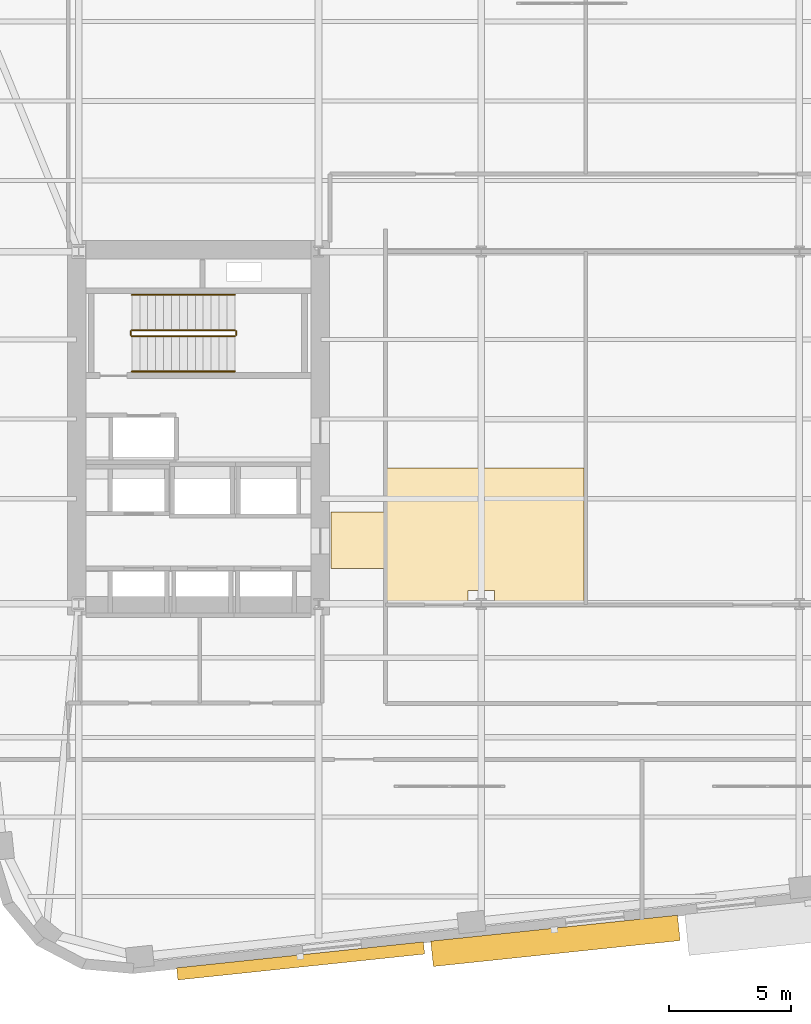
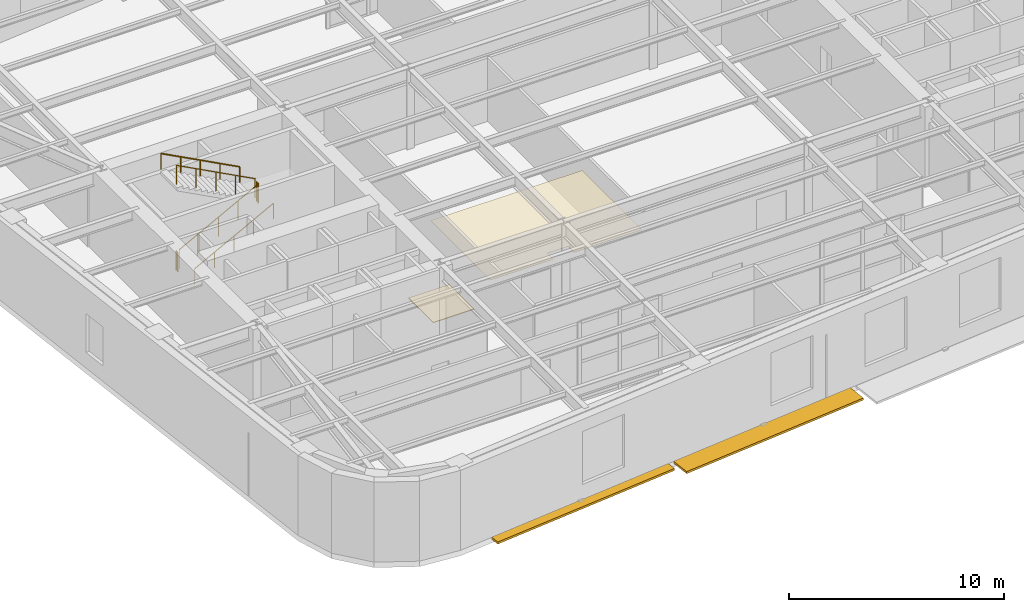
# One storey, part 11 of 14: 6 railings, 2 coverings, 2 shading devices.
"""IFC4 building model written with IfcOpenShell, lengths in metres."""

from ifc_helpers import new_model, si_unit, direction, frame, origin, origin_2d, place, context, subcontext, project, spatial, polyline, rectangle, circle, outline, extrude, material, layer, layer_set, type_object, element, save


model = new_model("IFC4")

# Units and contexts
model_context = context("Model", 3, precision=1e-05, world=origin(), true_north=direction((0.0, 1.0)))
body_context = subcontext(model_context, "Body", "Model", "MODEL_VIEW")
ifc_project = project(units=[si_unit("LENGTHUNIT", "METRE"), si_unit("AREAUNIT", "SQUARE_METRE"), si_unit("VOLUMEUNIT", "CUBIC_METRE"), si_unit("PLANEANGLEUNIT", "RADIAN"), si_unit("MASSUNIT", "GRAM", prefix="KILO")], contexts=[model_context])

# Site, building, storey
site_placement = place(None, origin())
site = spatial("IfcSite", under=ifc_project, at=site_placement, CompositionType="ELEMENT")
building_placement = place(site_placement, origin())
building = spatial("IfcBuilding", under=site, at=building_placement, Name="Kolvaren Arena Tower", CompositionType="ELEMENT")
storey_placement = place(building_placement, frame((0.0, 0.0, 125.949951171875)))
storey = spatial("IfcBuildingStorey", under=building, at=storey_placement, Name="L29", CompositionType="ELEMENT", Elevation=125.949951171875)

# Coverings
ifc_material_1 = material(Name="Mineral fibre acoustic ceiling tile", Category="gypsum")
ifc_layer_1 = layer(ifc_material_1, 0.02490234375)
ifc_layer_set_1 = layer_set([ifc_layer_1], Name="Mineral fibre acoustic ceiling tile")
covering_type_1 = type_object("IfcCoveringType", Name="CEIL-ACT-1", PredefinedType="CEILING", material=ifc_layer_set_1)
covering_1_placement = place(storey_placement, frame((0.0, 0.0, 2.52001953125)))
element("IfcCovering", 1, at=covering_1_placement, inside=storey, type_object=covering_type_1, Name="Suspended Ceiling (L29)", PredefinedType="CEILING", context=body_context, shape_type="SweptSolid", body=[
    extrude(outline(polyline([(27.080078125, 19.449951171875), (27.080078125, 25.0), (35.199951171875, 25.0), (35.199951171875, 19.449951171875), (31.550048828125, 19.449951171875), (31.550048828125, 20.0), (30.449951171875, 20.0), (30.449951171875, 19.449951171875), (27.080078125, 19.449951171875)])), origin(), (0.0, 0.0, 1.0), 0.025146484375),
])
ifc_material_2 = material(Name="Polished granite terrazzo flooring", Category="masonry")
ifc_layer_2 = layer(ifc_material_2, 0.034912109375)
ifc_layer_set_2 = layer_set([ifc_layer_2], Name="Polished granite terrazzo flooring")
covering_type_2 = type_object("IfcCoveringType", Name="FLOR-TRZ-1", PredefinedType="FLOORING", material=ifc_layer_set_2)
covering_2_placement = place(storey_placement, origin())
element("IfcCovering", 2, at=covering_2_placement, inside=storey, type_object=covering_type_2, Name="Floor Finish (L29)", PredefinedType="FLOORING", context=body_context, shape_type="SweptSolid", body=[
    extrude(outline(polyline([(24.85009765625, 20.89990234375), (24.85009765625, 23.199951171875), (27.050048828125, 23.199951171875), (27.050048828125, 20.89990234375), (24.85009765625, 20.89990234375)])), origin(), (0.0, 0.0, 1.0), 0.03515625),
])

# Railings
ifc_material_3 = material(Name="Painted galvanized steel", Category="steel")
railing_type_1 = type_object("IfcRailingType", Name="GUARD-ST-110", PredefinedType="GUARDRAIL", material=ifc_material_3)
railing_1_placement = place(storey_placement, frame((16.719970703125, 30.389892578125, 0.17138671875)))
element("IfcRailing", 3, at=railing_1_placement, inside=storey, type_object=railing_type_1, Name="L29 ST-W1 stair guard 1", PredefinedType="GUARDRAIL", context=body_context, shape_type="SweptSolid", body=[
    extrude(circle(Radius=0.02392578125, at=origin_2d()), frame((0.0, 0.0, 1.076171875), z_axis=(0.883881365342, 0.0, 0.467711163007), x_axis=(0.0, 1.0, 0.0)), (0.0, 0.0, 1.0), 4.76513671875),
    extrude(circle(Radius=0.02099609375, at=origin_2d()), origin(), (0.0, 0.0, 1.0), 1.052001953125),
    extrude(circle(Radius=0.02099609375, at=origin_2d()), frame((1.052978515625, 0.0, 0.55712890625)), (0.0, 0.0, 1.0), 1.052001953125),
    extrude(circle(Radius=0.02099609375, at=origin_2d()), frame((2.10595703125, 0.0, 1.1142578125)), (0.0, 0.0, 1.0), 1.052001953125),
    extrude(circle(Radius=0.02099609375, at=origin_2d()), frame((3.158935546875, 0.0, 1.671630859375)), (0.0, 0.0, 1.0), 1.052001953125),
    extrude(circle(Radius=0.02099609375, at=origin_2d()), frame((4.2119140625, 0.0, 2.228759765625)), (0.0, 0.0, 1.0), 1.052001953125),
])
railing_2_placement = place(storey_placement, frame((20.98193359375, 30.43994140625, 2.400146484375)))
element("IfcRailing", 4, at=railing_2_placement, inside=storey, type_object=railing_type_1, Name="L29 ST-W1 stair guard 2", PredefinedType="GUARDRAIL", context=body_context, shape_type="SweptSolid", body=[
    extrude(circle(Radius=0.02392578125, at=origin_2d()), frame((0.0, 0.0, 1.076171875), z_axis=(0.0, 1.0, 0.0), x_axis=(-1.0, 0.0, 0.0)), (0.0, 0.0, 1.0), 0.150146484375),
    extrude(circle(Radius=0.02099609375, at=origin_2d()), origin(), (0.0, 0.0, 1.0), 1.052001953125),
    extrude(circle(Radius=0.02099609375, at=origin_2d()), frame((0.0, 0.150146484375, 0.0)), (0.0, 0.0, 1.0), 1.052001953125),
])
railing_3_placement = place(storey_placement, frame((20.931884765625, 30.639892578125, 2.571533203125)))
element("IfcRailing", 5, at=railing_3_placement, inside=storey, type_object=railing_type_1, Name="L29 ST-W1 stair guard 3", PredefinedType="GUARDRAIL", context=body_context, shape_type="SweptSolid", body=[
    extrude(circle(Radius=0.02392578125, at=origin_2d()), frame((0.0, 0.0, 1.076171875), z_axis=(-0.883902544957, 0.0, 0.467671135542), x_axis=(0.0, -1.0, 0.0)), (0.0, 0.0, 1.0), 4.76513671875),
    extrude(circle(Radius=0.02099609375, at=origin_2d()), origin(), (0.0, 0.0, 1.0), 1.052001953125),
    extrude(circle(Radius=0.02099609375, at=origin_2d()), frame((-1.052978515625, 0.0, 0.55712890625)), (0.0, 0.0, 1.0), 1.052001953125),
    extrude(circle(Radius=0.02099609375, at=origin_2d()), frame((-2.10595703125, 0.0, 1.1142578125)), (0.0, 0.0, 1.0), 1.052001953125),
    extrude(circle(Radius=0.02099609375, at=origin_2d()), frame((-3.158935546875, 0.0, 1.67138671875)), (0.0, 0.0, 1.0), 1.052001953125),
    extrude(circle(Radius=0.02099609375, at=origin_2d()), frame((-4.2119140625, 0.0, 2.228515625)), (0.0, 0.0, 1.0), 1.052001953125),
])
railing_4_placement = place(storey_placement, frame((16.669921875, 30.43994140625, 0.0)))
element("IfcRailing", 6, at=railing_4_placement, inside=storey, type_object=railing_type_1, Name="L29 ST-W1 stair guard 4", PredefinedType="GUARDRAIL", context=body_context, shape_type="SweptSolid", body=[
    extrude(circle(Radius=0.02392578125, at=origin_2d()), frame((0.0, 0.0, 1.076171875), z_axis=(0.0, 1.0, 0.0), x_axis=(-1.0, 0.0, 0.0)), (0.0, 0.0, 1.0), 0.150146484375),
    extrude(circle(Radius=0.02099609375, at=origin_2d()), origin(), (0.0, 0.0, 1.0), 1.052001953125),
    extrude(circle(Radius=0.02099609375, at=origin_2d()), frame((0.0, 0.150146484375, 0.0)), (0.0, 0.0, 1.0), 1.052001953125),
])
ifc_material_4 = material(Name="Brushed stainless steel handrail", Category="steel")
railing_type_2 = type_object("IfcRailingType", Name="HRAIL-900", PredefinedType="HANDRAIL", material=ifc_material_4)
railing_5_placement = place(storey_placement, frame((16.719970703125, 28.949951171875, 0.17138671875)))
element("IfcRailing", 7, at=railing_5_placement, inside=storey, type_object=railing_type_2, Name="L29 ST-W1 stair handrail 1", PredefinedType="HANDRAIL", context=body_context, shape_type="SweptSolid", body=[
    extrude(circle(Radius=0.02392578125, at=origin_2d()), frame((0.0, 0.0, 0.8759765625), z_axis=(0.883881365342, 0.0, 0.467711163007), x_axis=(0.0, 1.0, 0.0)), (0.0, 0.0, 1.0), 4.76513671875),
    extrude(circle(Radius=0.02099609375, at=origin_2d()), origin(), (0.0, 0.0, 1.0), 0.851806640625),
    extrude(circle(Radius=0.02099609375, at=origin_2d()), frame((1.052978515625, 0.0, 0.55712890625)), (0.0, 0.0, 1.0), 0.851806640625),
    extrude(circle(Radius=0.02099609375, at=origin_2d()), frame((2.10595703125, 0.0, 1.1142578125)), (0.0, 0.0, 1.0), 0.851806640625),
    extrude(circle(Radius=0.02099609375, at=origin_2d()), frame((3.158935546875, 0.0, 1.671630859375)), (0.0, 0.0, 1.0), 0.851806640625),
    extrude(circle(Radius=0.02099609375, at=origin_2d()), frame((4.2119140625, 0.0, 2.228759765625)), (0.0, 0.0, 1.0), 0.851806640625),
])
railing_6_placement = place(storey_placement, frame((20.931884765625, 32.080078125, 2.571533203125)))
element("IfcRailing", 8, at=railing_6_placement, inside=storey, type_object=railing_type_2, Name="L29 ST-W1 stair handrail 2", PredefinedType="HANDRAIL", context=body_context, shape_type="SweptSolid", body=[
    extrude(circle(Radius=0.02392578125, at=origin_2d()), frame((0.0, 0.0, 0.8759765625), z_axis=(-0.883902544957, 0.0, 0.467671135542), x_axis=(0.0, -1.0, 0.0)), (0.0, 0.0, 1.0), 4.76513671875),
    extrude(circle(Radius=0.02099609375, at=origin_2d()), origin(), (0.0, 0.0, 1.0), 0.851806640625),
    extrude(circle(Radius=0.02099609375, at=origin_2d()), frame((-1.052978515625, 0.0, 0.55712890625)), (0.0, 0.0, 1.0), 0.851806640625),
    extrude(circle(Radius=0.02099609375, at=origin_2d()), frame((-2.10595703125, 0.0, 1.1142578125)), (0.0, 0.0, 1.0), 0.851806640625),
    extrude(circle(Radius=0.02099609375, at=origin_2d()), frame((-3.158935546875, 0.0, 1.67138671875)), (0.0, 0.0, 1.0), 0.851806640625),
    extrude(circle(Radius=0.02099609375, at=origin_2d()), frame((-4.2119140625, 0.0, 2.228515625)), (0.0, 0.0, 1.0), 0.851806640625),
])

# Shading devices
ifc_material_5 = material(Name="Architectural precast GFRC and anodised aluminium sunshade", Category="concrete")
shading_device_type = type_object("IfcShadingDeviceType", Name="SHAD-SINE-A", PredefinedType="USERDEFINED", material=ifc_material_5)
shading_device_1_placement = place(storey_placement, frame((34.0302734375, 5.681640625, -0.139892578125), z_axis=(0.0, 0.0, 1.0), x_axis=(-0.994522077803, -0.104526727499, 0.0)))
element("IfcShadingDevice", 9, at=shading_device_1_placement, inside=storey, type_object=shading_device_type, Name="Sinusoidal Slab-Edge Sunshade Louvre (L29)", ObjectType="LOUVRE", PredefinedType="USERDEFINED", context=body_context, shape_type="SweptSolid", body=[
    extrude(rectangle(XDim=10.139892578125, YDim=1.043701171875, at=origin_2d()), origin(), (0.0, 0.0, 1.0), 0.1201171875),
])
shading_device_2_placement = place(storey_placement, frame((23.619140625, 4.860595703125, -0.139892578125), z_axis=(0.0, 0.0, 1.0), x_axis=(-0.994522077803, -0.104526727499, 0.0)))
element("IfcShadingDevice", 10, at=shading_device_2_placement, inside=storey, type_object=shading_device_type, Name="Sinusoidal Slab-Edge Sunshade Louvre (L29)", ObjectType="LOUVRE", PredefinedType="USERDEFINED", context=body_context, shape_type="SweptSolid", body=[
    extrude(rectangle(XDim=10.139892578125, YDim=0.50048828125, at=origin_2d()), origin(), (0.0, 0.0, 1.0), 0.1201171875),
])

save(model, "model.ifc")
